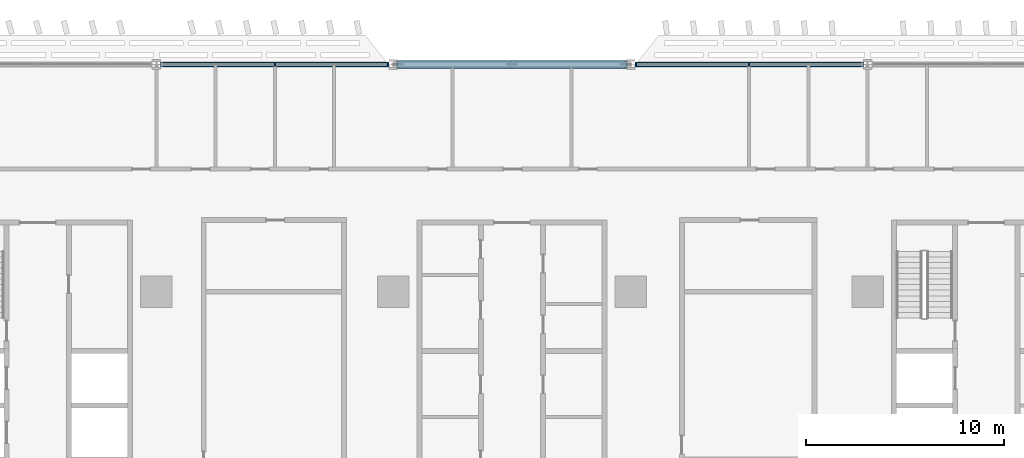
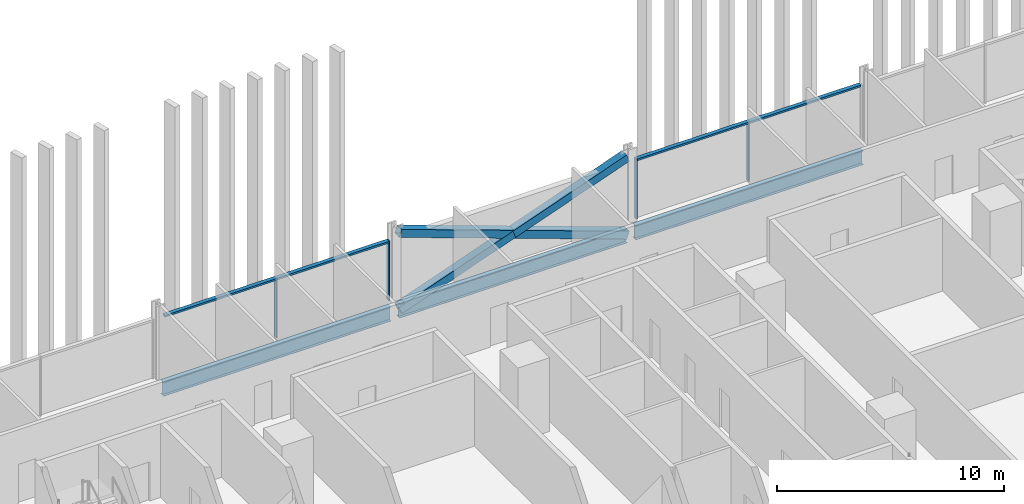
# One storey, part 6 of 29: 11 members, 3 beams, 2 elements without a shape of their own.
"""IFC4 building model written with IfcOpenShell, lengths in metres."""

from ifc_helpers import new_model, si_unit, direction, frame, origin, origin_2d, place, context, subcontext, project, spatial, rectangle, hollow_rectangle, i_section, extrude, material, material_profile, profile_set, type_object, element, aggregate, save


model = new_model("IFC4")

# Units and contexts
model_context = context("Model", 3, precision=1e-05, world=origin(), true_north=direction((0.0, 1.0)))
body_context = subcontext(model_context, "Body", "Model", "MODEL_VIEW")
ifc_project = project(units=[si_unit("LENGTHUNIT", "METRE"), si_unit("AREAUNIT", "SQUARE_METRE"), si_unit("VOLUMEUNIT", "CUBIC_METRE"), si_unit("PLANEANGLEUNIT", "RADIAN"), si_unit("MASSUNIT", "GRAM", prefix="KILO")], contexts=[model_context])

# Site, building, storey
site_placement = place(None, origin())
site = spatial("IfcSite", under=ifc_project, at=site_placement, CompositionType="ELEMENT")
building_placement = place(site_placement, origin())
building = spatial("IfcBuilding", under=site, at=building_placement, Name="Mahtab Terrace Research Tower", CompositionType="ELEMENT")
storey_placement = place(building_placement, frame((0.0, 0.0, 24.39990234375)))
storey = spatial("IfcBuildingStorey", under=building, at=storey_placement, Name="L05", CompositionType="ELEMENT", Elevation=24.39990234375)

# Members
ifc_material_1 = material(Name="Steel ASTM A500 Gr C", Category="steel")
ifc_material_profile_1 = material_profile(ifc_material_1, hollow_rectangle(XDim=0.406494140625, YDim=0.406494140625, WallThickness=0.01904296875, at=origin_2d()), Name="HSS16X16X3/4")
ifc_profile_set_1 = profile_set([ifc_material_profile_1], Name="Steel ASTM A500 Gr C")
member_type_1 = type_object("IfcMemberType", Name="HSS 16x16x3/4 brace XB161634", PredefinedType="BRACE", material=ifc_profile_set_1)
member_1_placement = place(storey_placement, frame((5.7841796875, 23.0, -0.640869140625), z_axis=(-0.941388097231, 0.0, 0.337325436917), x_axis=(0.0, -1.0, 0.0)))
element("IfcMember", 1, at=member_1_placement, inside=storey, type_object=member_type_1, Name="Exoskeleton brace L05 04 a", PredefinedType="BRACE", context=body_context, shape_type="SweptSolid", body=[
    extrude(hollow_rectangle(XDim=0.406494140625, YDim=0.406494140625, WallThickness=0.01904296875, at=origin_2d()), origin(), (0.0, 0.0, 1.0), 12.28857421875),
])
for number, where, z_axis, x_axis, name in (
    (2, (-5.7841796875, 23.0, -0.640869140625), (0.941394406025, 0.0, 0.337307830185), (0.0, 1.0, 0.0), "Exoskeleton brace L05 04 b1"),
    (3, (0.0, 23.0, 1.431640625), (0.941381788192, 0.0, 0.337343043295), (0.0, 1.0, 0.0), "Exoskeleton brace L05 04 b2"),
):
    element("IfcMember", number, at=place(storey_placement, frame(where, z_axis=z_axis, x_axis=x_axis)), inside=storey, type_object=member_type_1, Name=name, PredefinedType="BRACE", context=body_context, shape_type="SweptSolid", body=[
        extrude(hollow_rectangle(XDim=0.406494140625, YDim=0.406494140625, WallThickness=0.01904296875, at=origin_2d()), origin(), (0.0, 0.0, 1.0), 6.144287109375),
    ])

# Curtain wall, members
ifc_material_2 = material(Name="Laboratory ribbon curtain wall")
curtain_wall_type = type_object("IfcCurtainWallType", Name="Laboratory ribbon curtain wall", PredefinedType="NOTDEFINED", material=ifc_material_2)
curtain_wall_1_placement = place(storey_placement, origin())
curtain_wall_1 = element("IfcCurtainWall", 4, at=curtain_wall_1_placement, inside=storey, type_object=curtain_wall_type, Name="EN.L05.3.5", PredefinedType="NOTDEFINED")
ifc_material_3 = material(Name="Natural anodised aluminium", Category="aluminium")
ifc_material_profile_2 = material_profile(ifc_material_3, rectangle(XDim=0.199951171875, YDim=0.06494140625, at=origin_2d()), Name="MULLION 65x200")
ifc_profile_set_2 = profile_set([ifc_material_profile_2], Name="Natural anodised aluminium")
member_type_2 = type_object("IfcMemberType", Name="Laboratory ribbon curtain wall mullion", PredefinedType="MULLION", material=ifc_profile_set_2)
member_2_placement = place(storey_placement, frame((12.0, 23.0, 0.0), z_axis=(0.0, 0.0, 1.0), x_axis=(0.0, -1.0, 0.0)))
member_2 = element("IfcMember", 5, at=member_2_placement, type_object=member_type_2, Name="CWL-1 mullion 2", PredefinedType="MULLION", context=body_context, shape_type="SweptSolid", body=[
    extrude(rectangle(XDim=0.199951171875, YDim=0.06494140625, at=origin_2d()), origin(), (0.0, 0.0, 1.0), 3.203125),
])
member_3_placement = place(storey_placement, frame((6.281494140625, 23.0, 0.0), z_axis=(0.0, 0.0, 1.0), x_axis=(0.0, -1.0, 0.0)))
member_3 = element("IfcMember", 6, at=member_3_placement, type_object=member_type_2, Name="CWL-1 mullion 3", PredefinedType="MULLION", context=body_context, shape_type="SweptSolid", body=[
    extrude(rectangle(XDim=0.199951171875, YDim=0.06494140625, at=origin_2d()), origin(), (0.0, 0.0, 1.0), 3.203125),
])

curtain_wall_2_placement = place(storey_placement, origin())
curtain_wall_2 = element("IfcCurtainWall", 7, at=curtain_wall_2_placement, inside=storey, type_object=curtain_wall_type, Name="EN.L05.3.7", PredefinedType="NOTDEFINED")
member_4_placement = place(storey_placement, frame((-6.281494140625, 23.0, 0.0), z_axis=(0.0, 0.0, 1.0), x_axis=(0.0, -1.0, 0.0)))
member_4 = element("IfcMember", 8, at=member_4_placement, type_object=member_type_2, Name="CWL-1 mullion 1", PredefinedType="MULLION", context=body_context, shape_type="SweptSolid", body=[
    extrude(rectangle(XDim=0.199951171875, YDim=0.06494140625, at=origin_2d()), origin(), (0.0, 0.0, 1.0), 3.203125),
])
member_5_placement = place(storey_placement, frame((-12.0, 23.0, 0.0), z_axis=(0.0, 0.0, 1.0), x_axis=(0.0, -1.0, 0.0)))
member_5 = element("IfcMember", 9, at=member_5_placement, type_object=member_type_2, Name="CWL-1 mullion 2", PredefinedType="MULLION", context=body_context, shape_type="SweptSolid", body=[
    extrude(rectangle(XDim=0.199951171875, YDim=0.06494140625, at=origin_2d()), origin(), (0.0, 0.0, 1.0), 3.203125),
])

# Member
ifc_material_profile_3 = material_profile(ifc_material_3, rectangle(XDim=0.199951171875, YDim=0.10009765625, at=origin_2d()), Name="TRANSOM 100x200")
ifc_profile_set_3 = profile_set([ifc_material_profile_3], Name="Natural anodised aluminium")
member_type_3 = type_object("IfcMemberType", Name="Laboratory ribbon curtain wall transom", PredefinedType="USERDEFINED", material=ifc_profile_set_3)
member_6_placement = place(storey_placement, frame((17.68603515625, 23.0, 3.153076171875), z_axis=(-1.0, 0.0, 0.0), x_axis=(0.0, -1.0, 0.0)))
member_6 = element("IfcMember", 10, at=member_6_placement, type_object=member_type_3, Name="CWL-1 transom 1", ObjectType="TRANSOM", PredefinedType="USERDEFINED", context=body_context, shape_type="SweptSolid", body=[
    extrude(rectangle(XDim=0.199951171875, YDim=0.10009765625, at=origin_2d()), origin(), (0.0, 0.0, 1.0), 5.653564453125),
])

member_7_placement = place(storey_placement, frame((11.967529296875, 23.0, 3.153076171875), z_axis=(-1.0, 0.0, 0.0), x_axis=(0.0, -1.0, 0.0)))
member_7 = element("IfcMember", 11, at=member_7_placement, type_object=member_type_3, Name="CWL-1 transom 2", ObjectType="TRANSOM", PredefinedType="USERDEFINED", context=body_context, shape_type="SweptSolid", body=[
    extrude(rectangle(XDim=0.199951171875, YDim=0.10009765625, at=origin_2d()), origin(), (0.0, 0.0, 1.0), 5.653564453125),
])

aggregate(curtain_wall_1, [member_2, member_3, member_6, member_7])

member_8_placement = place(storey_placement, frame((-6.31396484375, 23.0, 3.153076171875), z_axis=(-1.0, 0.0, 0.0), x_axis=(0.0, -1.0, 0.0)))
member_8 = element("IfcMember", 12, at=member_8_placement, type_object=member_type_3, Name="CWL-1 transom 1", ObjectType="TRANSOM", PredefinedType="USERDEFINED", context=body_context, shape_type="SweptSolid", body=[
    extrude(rectangle(XDim=0.199951171875, YDim=0.10009765625, at=origin_2d()), origin(), (0.0, 0.0, 1.0), 5.653564453125),
])

member_9_placement = place(storey_placement, frame((-12.032470703125, 23.0, 3.153076171875), z_axis=(-1.0, 0.0, 0.0), x_axis=(0.0, -1.0, 0.0)))
member_9 = element("IfcMember", 13, at=member_9_placement, type_object=member_type_3, Name="CWL-1 transom 2", ObjectType="TRANSOM", PredefinedType="USERDEFINED", context=body_context, shape_type="SweptSolid", body=[
    extrude(rectangle(XDim=0.199951171875, YDim=0.10009765625, at=origin_2d()), origin(), (0.0, 0.0, 1.0), 5.653564453125),
])

aggregate(curtain_wall_2, [member_4, member_5, member_8, member_9])

# Beams
ifc_material_4 = material(Name="Steel ASTM A992 Gr 50", Category="steel")
ifc_material_profile_4 = material_profile(ifc_material_4, i_section(OverallWidth=0.2666015625, OverallDepth=0.7568359375, WebThickness=0.013916015625, FlangeThickness=0.019287109375, at=origin_2d()), Name="W30X108")
ifc_profile_set_4 = profile_set([ifc_material_profile_4], Name="Steel ASTM A992 Gr 50")
beam_type = type_object("IfcBeamType", Name="W30x108 beam BS30108", PredefinedType="BEAM", material=ifc_profile_set_4)
for number, where, z_axis, x_axis, name in (
    (14, (17.7841796875, 23.0, -0.71826171875), (-1.0, 0.0, 0.0), (0.0, -1.0, 0.0), "Spandrel beam L05 03"),
    (15, (5.7841796875, 23.0, -0.71826171875), (-1.0, 0.0, 0.0), (0.0, -1.0, 0.0), "Spandrel beam L05 04"),
    (16, (-6.2158203125, 23.0, -0.71826171875), (-1.0, 0.0, 0.0), (0.0, -1.0, 0.0), "Spandrel beam L05 05"),
):
    element("IfcBeam", number, at=place(storey_placement, frame(where, z_axis=z_axis, x_axis=x_axis)), inside=storey, type_object=beam_type, Name=name, PredefinedType="BEAM", context=body_context, shape_type="SweptSolid", body=[
        extrude(i_section(OverallWidth=0.2666015625, OverallDepth=0.7568359375, WebThickness=0.013916015625, FlangeThickness=0.019287109375, at=origin_2d()), origin(), (0.0, 0.0, 1.0), 11.568359375),
    ])

save(model, "model.ifc")
